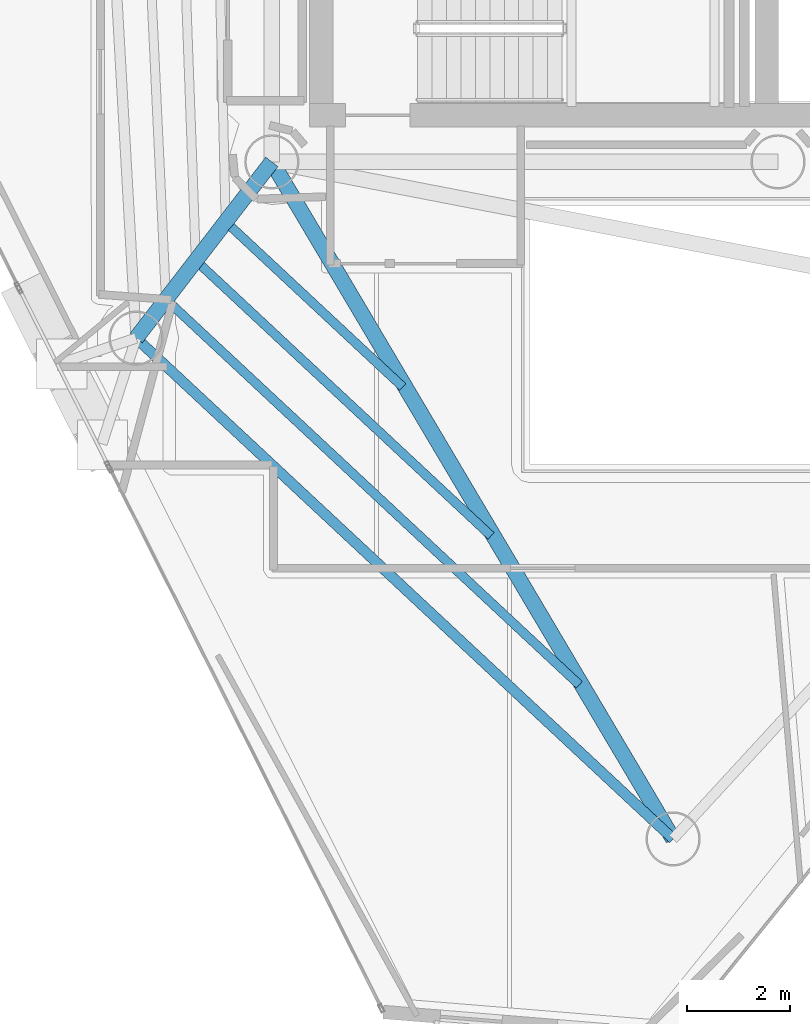
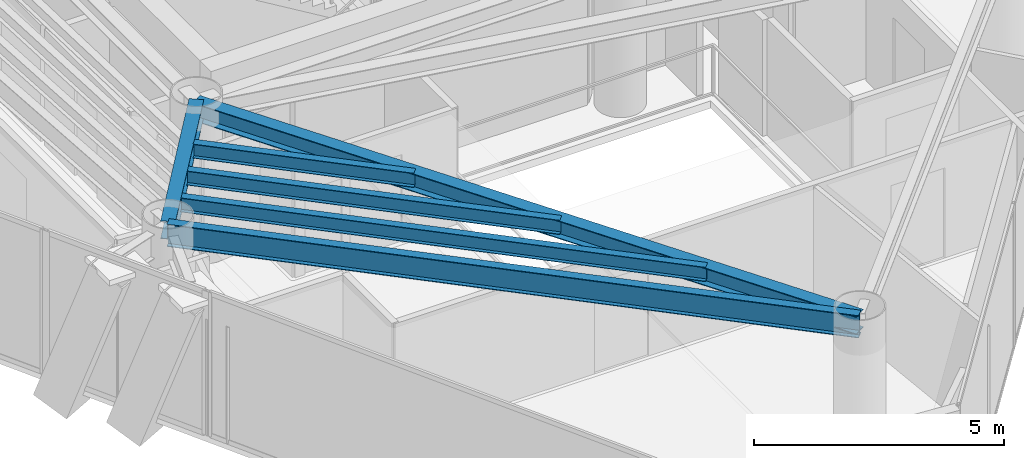
# One storey, part 3 of 19: 6 beams.
"""IFC4 building model written with IfcOpenShell, lengths in metres."""

from ifc_helpers import new_model, si_unit, direction, frame, origin, origin_2d, place, context, subcontext, project, spatial, i_section, extrude, material, material_profile, profile_set, type_object, element, save


model = new_model("IFC4")

# Units and contexts
model_context = context("Model", 3, precision=1e-05, world=origin(), true_north=direction((0.0, 1.0)))
body_context = subcontext(model_context, "Body", "Model", "MODEL_VIEW")
ifc_project = project(units=[si_unit("LENGTHUNIT", "METRE"), si_unit("AREAUNIT", "SQUARE_METRE"), si_unit("VOLUMEUNIT", "CUBIC_METRE"), si_unit("PLANEANGLEUNIT", "RADIAN"), si_unit("MASSUNIT", "GRAM", prefix="KILO")], contexts=[model_context])

# Site, building, storey
site_placement = place(None, origin())
site = spatial("IfcSite", under=ifc_project, at=site_placement, CompositionType="ELEMENT")
building_placement = place(site_placement, origin())
building = spatial("IfcBuilding", under=site, at=building_placement, Name="Qianvela Tower", CompositionType="ELEMENT")
storey_placement = place(building_placement, frame((0.0, 0.0, 261.199951171875)))
storey = spatial("IfcBuildingStorey", under=building, at=storey_placement, Name="L67", CompositionType="ELEMENT", Elevation=261.199951171875)

# Beams
ifc_material_1 = material(Name="Steel Q355B", Category="steel")
ifc_material_profile_1 = material_profile(ifc_material_1, i_section(OverallWidth=0.300048828125, OverallDepth=0.43994140625, WebThickness=0.010986328125, FlangeThickness=0.01806640625, at=origin_2d()), Name="HM440x300x11x18")
ifc_profile_set_1 = profile_set([ifc_material_profile_1], Name="Steel Q355B")
beam_type_1 = type_object("IfcBeamType", Name="BM-HM440-COLL", PredefinedType="BEAM", material=ifc_profile_set_1)
beam_1_placement = place(storey_placement, frame((28.60009765625, 23.85009765625, 3.298095703125), z_axis=(-0.610107831638, -0.792318391667, 0.0), x_axis=(0.792318391667, -0.610107831638, 0.0)))
element("IfcBeam", 1, at=beam_1_placement, inside=storey, type_object=beam_type_1, Name="L67 Radial Primary Floor Girder 4", PredefinedType="BEAM", context=body_context, shape_type="SweptSolid", body=[
    extrude(i_section(OverallWidth=0.300048828125, OverallDepth=0.43994140625, WebThickness=0.010986328125, FlangeThickness=0.01806640625, at=origin_2d()), origin(), (0.0, 0.0, 1.0), 4.3076171875),
])
beam_2_placement = place(storey_placement, frame((28.60009765625, 23.85009765625, 3.298095703125), z_axis=(0.509851140096, -0.860262643001, 0.0), x_axis=(0.860262643001, 0.509851140096, 0.0)))
element("IfcBeam", 2, at=beam_2_placement, inside=storey, type_object=beam_type_1, Name="L67 Radial Primary Floor Girder 5", PredefinedType="BEAM", context=body_context, shape_type="SweptSolid", body=[
    extrude(i_section(OverallWidth=0.300048828125, OverallDepth=0.43994140625, WebThickness=0.010986328125, FlangeThickness=0.01806640625, at=origin_2d()), origin(), (0.0, 0.0, 1.0), 15.2373046875),
])
ifc_material_2 = material(Name="Steel Q355B", Category="steel")
ifc_material_profile_2 = material_profile(ifc_material_2, i_section(OverallWidth=0.175048828125, OverallDepth=0.35009765625, WebThickness=0.007080078125, FlangeThickness=0.010986328125, at=origin_2d()), Name="HN350x175x7x11")
ifc_profile_set_2 = profile_set([ifc_material_profile_2], Name="Steel Q355B")
beam_type_2 = type_object("IfcBeamType", Name="BM-HN350-JOIST", PredefinedType="JOIST", material=ifc_profile_set_2)
beam_3_placement = place(storey_placement, frame((27.813232421875, 22.590087890625, 3.343017578125), z_axis=(0.731376968526, -0.681973408506, 0.0), x_axis=(0.681973408506, 0.731376968526, 0.0)))
element("IfcBeam", 3, at=beam_3_placement, inside=storey, type_object=beam_type_2, Name="L67 Secondary Composite Floor Joist 4.1", PredefinedType="JOIST", context=body_context, shape_type="SweptSolid", body=[
    extrude(i_section(OverallWidth=0.175048828125, OverallDepth=0.35009765625, WebThickness=0.007080078125, FlangeThickness=0.010986328125, at=origin_2d()), origin(), (0.0, 0.0, 1.0), 4.54150390625),
])
beam_4_placement = place(storey_placement, frame((27.235107421875, 21.839111328125, 3.343017578125), z_axis=(0.731379132366, -0.681971087906, 0.0), x_axis=(0.681971087906, 0.731379132366, 0.0)))
element("IfcBeam", 4, at=beam_4_placement, inside=storey, type_object=beam_type_2, Name="L67 Secondary Composite Floor Joist 4.2", PredefinedType="JOIST", context=body_context, shape_type="SweptSolid", body=[
    extrude(i_section(OverallWidth=0.175048828125, OverallDepth=0.35009765625, WebThickness=0.007080078125, FlangeThickness=0.010986328125, at=origin_2d()), origin(), (0.0, 0.0, 1.0), 7.6689453125),
])
beam_5_placement = place(storey_placement, frame((26.656982421875, 21.08837890625, 3.343017578125), z_axis=(0.731358246127, -0.681993486641, 0.0), x_axis=(0.681993486641, 0.731358246127, 0.0)))
element("IfcBeam", 5, at=beam_5_placement, inside=storey, type_object=beam_type_2, Name="L67 Secondary Composite Floor Joist 4.3", PredefinedType="JOIST", context=body_context, shape_type="SweptSolid", body=[
    extrude(i_section(OverallWidth=0.175048828125, OverallDepth=0.35009765625, WebThickness=0.007080078125, FlangeThickness=0.010986328125, at=origin_2d()), origin(), (0.0, 0.0, 1.0), 10.79638671875),
])
ifc_material_3 = material(Name="Steel Q355B", Category="steel")
ifc_material_profile_3 = material_profile(ifc_material_3, i_section(OverallWidth=0.199951171875, OverallDepth=0.550048828125, WebThickness=0.010009765625, FlangeThickness=0.01611328125, at=origin_2d()), Name="HN550x200x10x16")
ifc_profile_set_3 = profile_set([ifc_material_profile_3], Name="Steel Q355B")
beam_type_3 = type_object("IfcBeamType", Name="BM-HN550-GIRD", PredefinedType="BEAM", material=ifc_profile_set_3)
beam_6_placement = place(storey_placement, frame((25.971923828125, 20.43701171875, 3.2431640625), z_axis=(0.731363016694, -0.681988370731, 0.0), x_axis=(0.681988370731, 0.731363016694, 0.0)))
element("IfcBeam", 6, at=beam_6_placement, inside=storey, type_object=beam_type_3, Name="L67 Perimeter Ring Spandrel Girder 4", PredefinedType="BEAM", context=body_context, shape_type="SweptSolid", body=[
    extrude(i_section(OverallWidth=0.199951171875, OverallDepth=0.550048828125, WebThickness=0.010009765625, FlangeThickness=0.01611328125, at=origin_2d()), origin(), (0.0, 0.0, 1.0), 14.2158203125),
])

save(model, "model.ifc")
